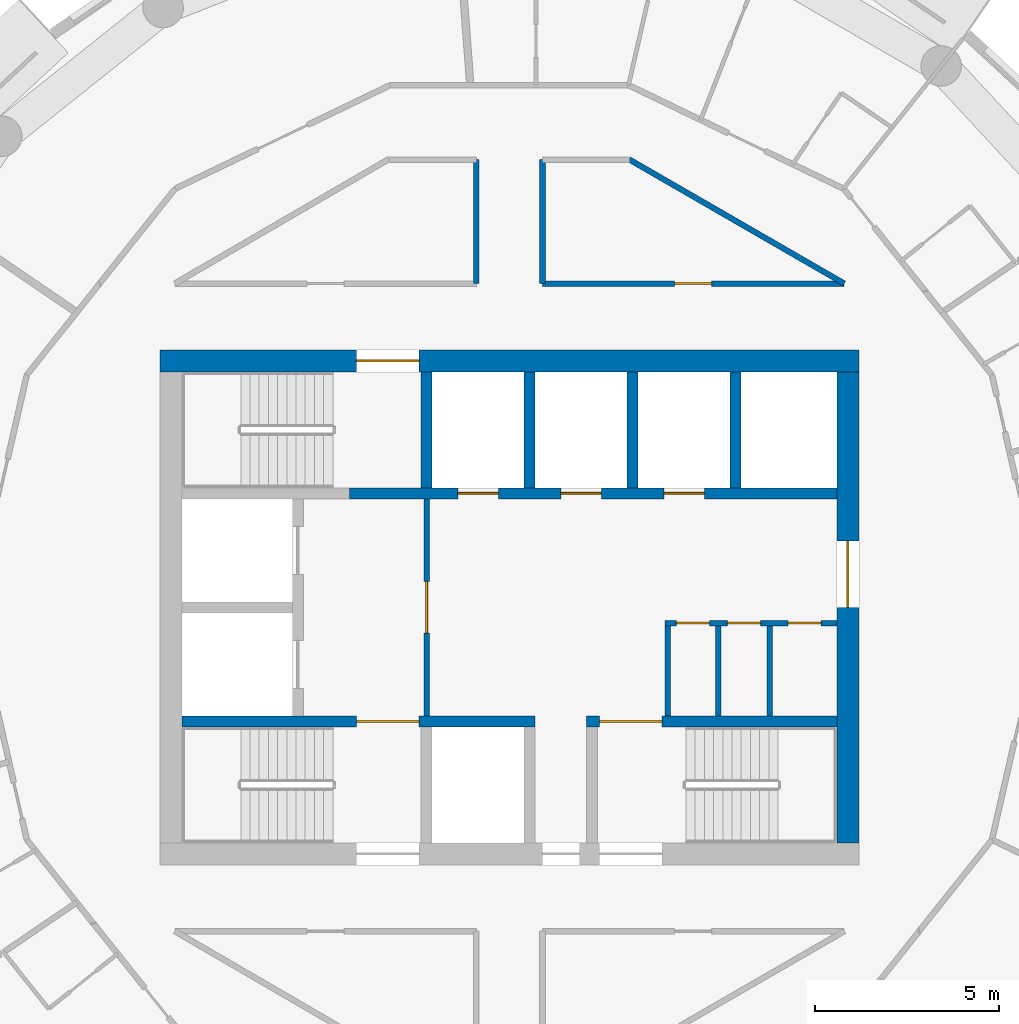
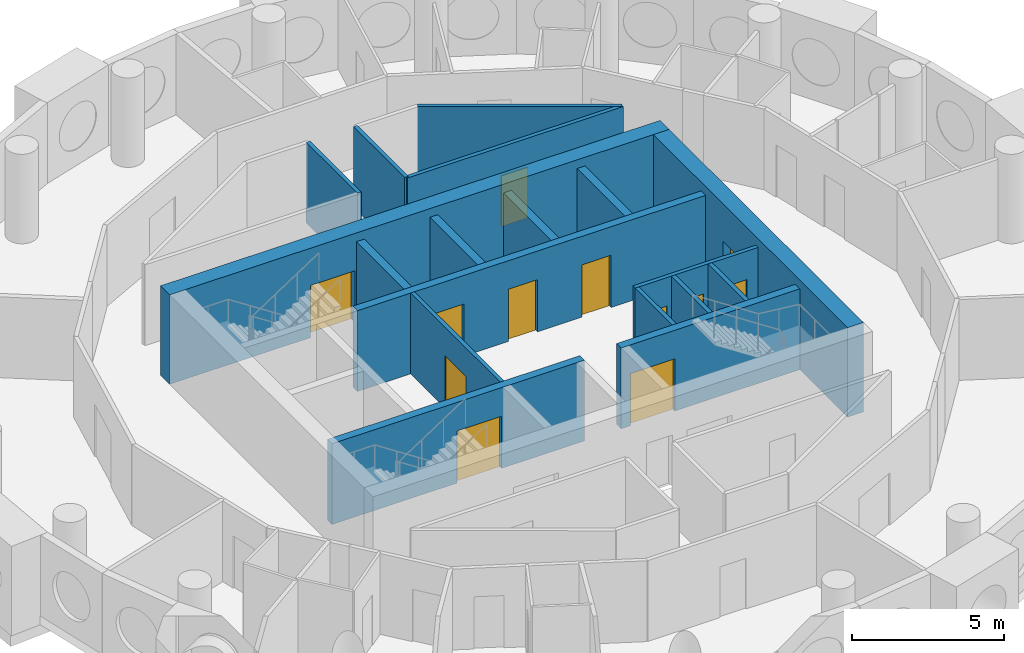
# One storey, part 8 of 13: 18 walls, 12 doors, 12 openings.
"""IFC4 building model written with IfcOpenShell, lengths in metres."""

from ifc_helpers import new_model, si_unit, direction, frame, frame_2d, origin, place, context, subcontext, project, spatial, rectangle, extrude, material, layer, layer_set, type_object, element, fill, save


model = new_model("IFC4")

# Units and contexts
model_context = context("Model", 3, precision=1e-05, world=origin(), true_north=direction((0.0, 1.0)))
body_context = subcontext(model_context, "Body", "Model", "MODEL_VIEW")
ifc_project = project(units=[si_unit("LENGTHUNIT", "METRE"), si_unit("AREAUNIT", "SQUARE_METRE"), si_unit("VOLUMEUNIT", "CUBIC_METRE"), si_unit("PLANEANGLEUNIT", "RADIAN"), si_unit("MASSUNIT", "GRAM", prefix="KILO")], contexts=[model_context])

# Site, building, storey
site_placement = place(None, origin())
site = spatial("IfcSite", under=ifc_project, at=site_placement, CompositionType="ELEMENT")
building_placement = place(site_placement, origin())
building = spatial("IfcBuilding", under=site, at=building_placement, Name="Tracery Tower", CompositionType="ELEMENT")
storey_placement = place(building_placement, frame((0.0, 0.0, 252.60009765625)))
storey = spatial("IfcBuildingStorey", under=building, at=storey_placement, Name="L65", CompositionType="ELEMENT", Elevation=252.60009765625)

# Wall, opening, door
ifc_material_1 = material(Name="Plasterboard on steel studs", Category="steel")
ifc_layer_1 = layer(ifc_material_1, 0.14990234375)
ifc_layer_set_1 = layer_set([ifc_layer_1], Name="Core lobby partition 150")
wall_type_1 = type_object("IfcWallType", Name="Core lobby partition 150", PredefinedType="SOLIDWALL", material=ifc_layer_set_1)
wall_1_placement = place(storey_placement, frame((-2.25, -2.949951171875, 0.0), z_axis=(0.0, 0.0, 1.0), x_axis=(0.0, 1.0, 0.0)))
wall_1 = element("IfcWall", 1, at=wall_1_placement, inside=storey, type_object=wall_type_1, Name="L65 FF lobby E", PredefinedType="SOLIDWALL", context=body_context, shape_type="SweptSolid", body=[
    extrude(rectangle(XDim=5.89990234375, YDim=0.14990234375, at=frame_2d((2.949951171875, 0.0))), origin(), (0.0, 0.0, 1.0), 3.25),
])
opening_1_placement = place(wall_1_placement, frame((2.25, 0.0, 0.0)))
opening_1 = element("IfcOpeningElement", 2, at=opening_1_placement, cuts=wall_1, Name="Opening KD8", PredefinedType="OPENING", context=body_context, shape_type="SweptSolid", body=[
    extrude(rectangle(XDim=1.39990234375, YDim=2.10009765625, at=frame_2d((0.699951171875, 1.050048828125))), frame((0.0, 0.074951171875, 0.0), z_axis=(0.0, -1.0, 0.0), x_axis=(1.0, 0.0, 0.0)), (0.0, 0.0, 1.0), 0.14990234375),
])
ifc_material_2 = material(Name="Steel fire door", Category="steel")
door_type_1 = type_object("IfcDoorType", Name="Core lobby door 1400 double", OperationType="NOTDEFINED", PredefinedType="DOOR", material=ifc_material_2)
door_1_placement = place(opening_1_placement, origin())
door_1 = element("IfcDoor", 3, at=door_1_placement, inside=storey, type_object=door_type_1, Name="Fire-fighting lobby door", OperationType="DOUBLE_DOOR_SINGLE_SWING", OverallHeight=2.10009765625, OverallWidth=1.39990234375, PredefinedType="DOOR", context=body_context, shape_type="SweptSolid", body=[
    extrude(rectangle(XDim=1.39990234375, YDim=2.10009765625, at=frame_2d((0.699951171875, 1.050048828125))), frame((0.0, 0.02490234375, 0.0), z_axis=(0.0, -1.0, 0.0), x_axis=(1.0, 0.0, 0.0)), (0.0, 0.0, 1.0), 0.050048828125),
])
fill(opening_1, door_1)

# Wall
ifc_material_3 = material(Name="Plasterboard on steel studs", Category="steel")
ifc_layer_2 = layer(ifc_material_3, 0.14990234375)
ifc_layer_set_2 = layer_set([ifc_layer_2], Name="Core room partition 150")
wall_type_2 = type_object("IfcWallType", Name="Core room partition 150", PredefinedType="SOLIDWALL", material=ifc_layer_set_2)
wall_2_placement = place(storey_placement, frame((4.300048828125, -2.949951171875, 0.0), z_axis=(0.0, 0.0, 1.0), x_axis=(0.0, 1.0, 0.0)))
element("IfcWall", 4, at=wall_2_placement, inside=storey, type_object=wall_type_2, Name="L65 slot W", PredefinedType="SOLIDWALL", context=body_context, shape_type="SweptSolid", body=[
    extrude(rectangle(XDim=2.449951171875, YDim=0.14990234375, at=frame_2d((1.22509765625, 0.0))), origin(), (0.0, 0.0, 1.0), 3.25),
])

# Wall, openings, doors
wall_3_placement = place(storey_placement, frame((4.22509765625, -0.425048828125, 0.0), z_axis=(0.0, 0.0, 1.0), x_axis=(1.0, 0.0, 0.0)))
wall_3 = element("IfcWall", 5, at=wall_3_placement, inside=storey, type_object=wall_type_2, Name="L65 slot N", PredefinedType="SOLIDWALL", context=body_context, shape_type="SweptSolid", body=[
    extrude(rectangle(XDim=4.6748046875, YDim=0.14990234375, at=frame_2d((2.33740234375, 0.0))), origin(), (0.0, 0.0, 1.0), 3.25),
])
opening_2_placement = place(wall_3_placement, frame((0.3125, 0.0, 0.0)))
opening_2 = element("IfcOpeningElement", 6, at=opening_2_placement, cuts=wall_3, Name="Opening KD32", PredefinedType="OPENING", context=body_context, shape_type="SweptSolid", body=[
    extrude(rectangle(XDim=0.89990234375, YDim=2.10009765625, at=frame_2d((0.449951171875, 1.050048828125))), frame((0.0, 0.074951171875, 0.0), z_axis=(0.0, -1.0, 0.0), x_axis=(1.0, 0.0, 0.0)), (0.0, 0.0, 1.0), 0.14990234375),
])
opening_3_placement = place(wall_3_placement, frame((1.699951171875, 0.0, 0.0)))
opening_3 = element("IfcOpeningElement", 7, at=opening_3_placement, cuts=wall_3, Name="Opening KD26", PredefinedType="OPENING", context=body_context, shape_type="SweptSolid", body=[
    extrude(rectangle(XDim=0.89990234375, YDim=2.10009765625, at=frame_2d((0.449951171875, 1.050048828125))), frame((0.0, 0.074951171875, 0.0), z_axis=(0.0, -1.0, 0.0), x_axis=(1.0, 0.0, 0.0)), (0.0, 0.0, 1.0), 0.14990234375),
])
opening_4_placement = place(wall_3_placement, frame((3.35009765625, 0.0, 0.0)))
opening_4 = element("IfcOpeningElement", 8, at=opening_4_placement, cuts=wall_3, Name="Opening KD22", PredefinedType="OPENING", context=body_context, shape_type="SweptSolid", body=[
    extrude(rectangle(XDim=0.89990234375, YDim=2.10009765625, at=frame_2d((0.449951171875, 1.050048828125))), frame((0.0, 0.074951171875, 0.0), z_axis=(0.0, -1.0, 0.0), x_axis=(1.0, 0.0, 0.0)), (0.0, 0.0, 1.0), 0.14990234375),
])
ifc_material_4 = material(Name="Timber door leaf", Category="wood")
door_type_2 = type_object("IfcDoorType", Name="Core WC door 900", OperationType="NOTDEFINED", PredefinedType="DOOR", material=ifc_material_4)
door_2_placement = place(opening_4_placement, origin())
door_2 = element("IfcDoor", 9, at=door_2_placement, inside=storey, type_object=door_type_2, Name="Core door", OperationType="SINGLE_SWING_RIGHT", OverallHeight=2.10009765625, OverallWidth=0.89990234375, PredefinedType="DOOR", context=body_context, shape_type="SweptSolid", body=[
    extrude(rectangle(XDim=0.89990234375, YDim=2.10009765625, at=frame_2d((0.449951171875, 1.050048828125))), frame((0.0, 0.02490234375, 0.0), z_axis=(0.0, -1.0, 0.0), x_axis=(1.0, 0.0, 0.0)), (0.0, 0.0, 1.0), 0.050048828125),
])
fill(opening_4, door_2)
ifc_material_5 = material(Name="Steel fire door", Category="steel")
door_type_3 = type_object("IfcDoorType", Name="Core riser door 900", OperationType="NOTDEFINED", PredefinedType="DOOR", material=ifc_material_5)
door_3_placement = place(opening_2_placement, origin())
door_3 = element("IfcDoor", 10, at=door_3_placement, inside=storey, type_object=door_type_3, Name="Core door", OperationType="SINGLE_SWING_RIGHT", OverallHeight=2.10009765625, OverallWidth=0.89990234375, PredefinedType="DOOR", context=body_context, shape_type="SweptSolid", body=[
    extrude(rectangle(XDim=0.89990234375, YDim=2.10009765625, at=frame_2d((0.449951171875, 1.050048828125))), frame((0.0, 0.02490234375, 0.0), z_axis=(0.0, -1.0, 0.0), x_axis=(1.0, 0.0, 0.0)), (0.0, 0.0, 1.0), 0.050048828125),
])
fill(opening_2, door_3)
ifc_material_6 = material(Name="Timber door leaf", Category="wood")
door_type_4 = type_object("IfcDoorType", Name="Core store door 900", OperationType="NOTDEFINED", PredefinedType="DOOR", material=ifc_material_6)
door_4_placement = place(opening_3_placement, origin())
door_4 = element("IfcDoor", 11, at=door_4_placement, inside=storey, type_object=door_type_4, Name="Core door", OperationType="SINGLE_SWING_LEFT", OverallHeight=2.10009765625, OverallWidth=0.89990234375, PredefinedType="DOOR", context=body_context, shape_type="SweptSolid", body=[
    extrude(rectangle(XDim=0.89990234375, YDim=2.10009765625, at=frame_2d((0.449951171875, 1.050048828125))), frame((0.0, 0.02490234375, 0.0), z_axis=(0.0, -1.0, 0.0), x_axis=(1.0, 0.0, 0.0)), (0.0, 0.0, 1.0), 0.050048828125),
])
fill(opening_3, door_4)

# Walls
for number, where, z_axis, x_axis, name in (
    (12, (5.675048828125, -2.949951171875, 0.0), (0.0, 0.0, 1.0), (0.0, 1.0, 0.0), "L65 slot sep 1"),
    (13, (7.074951171875, -2.949951171875, 0.0), (0.0, 0.0, 1.0), (0.0, 1.0, 0.0), "L65 slot sep 2"),
):
    element("IfcWall", number, at=place(storey_placement, frame(where, z_axis=z_axis, x_axis=x_axis)), inside=storey, type_object=wall_type_2, Name=name, PredefinedType="SOLIDWALL", context=body_context, shape_type="SweptSolid", body=[
        extrude(rectangle(XDim=2.449951171875, YDim=0.14990234375, at=frame_2d((1.22509765625, 0.0))), origin(), (0.0, 0.0, 1.0), 3.25),
    ])

# Wall, opening, door
ifc_material_7 = material(Name="Concrete C40/50", Category="concrete")
ifc_layer_3 = layer(ifc_material_7, 0.60009765625)
ifc_layer_set_3 = layer_set([ifc_layer_3], Name="Core wall 600 C40")
wall_type_3 = type_object("IfcWallType", Name="Core wall 600 C40", PredefinedType="SOLIDWALL", material=ifc_layer_set_3)
wall_4_placement = place(storey_placement, frame((-9.5, 6.699951171875, 0.0), z_axis=(0.0, 0.0, 1.0), x_axis=(1.0, 0.0, 0.0)))
wall_4 = element("IfcWall", 14, at=wall_4_placement, inside=storey, type_object=wall_type_3, Name="L65 outer N", PredefinedType="SOLIDWALL", context=body_context, shape_type="SweptSolid", body=[
    extrude(rectangle(XDim=19.0, YDim=0.60009765625, at=frame_2d((9.5, 0.0))), origin(), (0.0, 0.0, 1.0), 3.599853515625),
])
opening_5_placement = place(wall_4_placement, frame((5.35009765625, 0.0, 0.0)))
opening_5 = element("IfcOpeningElement", 15, at=opening_5_placement, cuts=wall_4, Name="Opening KD3", PredefinedType="OPENING", context=body_context, shape_type="SweptSolid", body=[
    extrude(rectangle(XDim=1.699951171875, YDim=2.10009765625, at=frame_2d((0.85009765625, 1.050048828125))), frame((0.0, 0.300048828125, 0.0), z_axis=(0.0, -1.0, 0.0), x_axis=(1.0, 0.0, 0.0)), (0.0, 0.0, 1.0), 0.60009765625),
])
ifc_material_8 = material(Name="Steel fire door", Category="steel")
door_type_5 = type_object("IfcDoorType", Name="Core stair door 1700 double", OperationType="NOTDEFINED", PredefinedType="DOOR", material=ifc_material_8)
door_5_placement = place(opening_5_placement, origin())
door_5 = element("IfcDoor", 16, at=door_5_placement, inside=storey, type_object=door_type_5, Name="Stair door ST3 exit", OperationType="DOUBLE_DOOR_SINGLE_SWING", OverallHeight=2.10009765625, OverallWidth=1.699951171875, PredefinedType="DOOR", context=body_context, shape_type="SweptSolid", body=[
    extrude(rectangle(XDim=1.699951171875, YDim=2.10009765625, at=frame_2d((0.85009765625, 1.050048828125))), frame((0.0, 0.02490234375, 0.0), z_axis=(0.0, -1.0, 0.0), x_axis=(1.0, 0.0, 0.0)), (0.0, 0.0, 1.0), 0.050048828125),
])
fill(opening_5, door_5)

wall_5_placement = place(storey_placement, frame((9.199951171875, -6.39990234375, 0.0), z_axis=(0.0, 0.0, 1.0), x_axis=(0.0, 1.0, 0.0)))
wall_5 = element("IfcWall", 17, at=wall_5_placement, inside=storey, type_object=wall_type_3, Name="L65 outer E", PredefinedType="SOLIDWALL", context=body_context, shape_type="SweptSolid", body=[
    extrude(rectangle(XDim=12.7998046875, YDim=0.60009765625, at=frame_2d((6.39990234375, 0.0))), origin(), (0.0, 0.0, 1.0), 3.599853515625),
])
opening_6_placement = place(wall_5_placement, frame((6.39990234375, 0.0, 0.0)))
opening_6 = element("IfcOpeningElement", 18, at=opening_6_placement, cuts=wall_5, Name="Opening KD13", PredefinedType="OPENING", context=body_context, shape_type="SweptSolid", body=[
    extrude(rectangle(XDim=1.800048828125, YDim=2.10009765625, at=frame_2d((0.89990234375, 1.050048828125))), frame((0.0, 0.300048828125, 0.0), z_axis=(0.0, -1.0, 0.0), x_axis=(1.0, 0.0, 0.0)), (0.0, 0.0, 1.0), 0.60009765625),
])
ifc_material_9 = material(Name="Steel fire door", Category="steel")
door_type_6 = type_object("IfcDoorType", Name="Core exit door 1800 double", OperationType="NOTDEFINED", PredefinedType="DOOR", material=ifc_material_9)
door_6_placement = place(opening_6_placement, origin())
door_6 = element("IfcDoor", 19, at=door_6_placement, inside=storey, type_object=door_type_6, Name="Core exit door", OperationType="DOUBLE_DOOR_SINGLE_SWING", OverallHeight=2.10009765625, OverallWidth=1.800048828125, PredefinedType="DOOR", context=body_context, shape_type="SweptSolid", body=[
    extrude(rectangle(XDim=1.800048828125, YDim=2.10009765625, at=frame_2d((0.89990234375, 1.050048828125))), frame((0.0, 0.02490234375, 0.0), z_axis=(0.0, -1.0, 0.0), x_axis=(1.0, 0.0, 0.0)), (0.0, 0.0, 1.0), 0.050048828125),
])
fill(opening_6, door_6)

ifc_material_10 = material(Name="Plasterboard on steel studs", Category="steel")
ifc_layer_4 = layer(ifc_material_10, 0.14990234375)
ifc_layer_set_4 = layer_set([ifc_layer_4], Name="Partition 150 corridor wall")
wall_type_4 = type_object("IfcWallType", Name="Partition 150 corridor wall", PredefinedType="PARTITIONING", material=ifc_layer_set_4)
wall_6_placement = place(storey_placement, frame((0.89599609375, 8.800048828125, 0.0), z_axis=(0.0, 0.0, 1.0), x_axis=(1.0, 0.0, 0.0)))
wall_6 = element("IfcWall", 20, at=wall_6_placement, inside=storey, type_object=wall_type_4, Name="Corridor wall RC3-003", PredefinedType="PARTITIONING", context=body_context, shape_type="SweptSolid", body=[
    extrude(rectangle(XDim=8.20458984375, YDim=0.14990234375, at=frame_2d((4.102294921875, 0.0))), origin(), (0.0, 0.0, 1.0), 3.25),
])
opening_7_placement = place(wall_6_placement, frame((3.597900390625, 0.0, 0.0)))
opening_7 = element("IfcOpeningElement", 21, at=opening_7_placement, cuts=wall_6, Name="Opening RC3-02", PredefinedType="OPENING", context=body_context, shape_type="SweptSolid", body=[
    extrude(rectangle(XDim=1.0, YDim=2.0400390625, at=frame_2d((0.5, 1.02001953125))), frame((0.0, 0.074951171875, 0.0), z_axis=(0.0, -1.0, 0.0), x_axis=(1.0, 0.0, 0.0)), (0.0, 0.0, 1.0), 0.14990234375),
])
ifc_material_11 = material(Name="Timber door leaf", Category="wood")
door_type_7 = type_object("IfcDoorType", Name="Door communal room 1000", OperationType="NOTDEFINED", PredefinedType="DOOR", material=ifc_material_11)
door_7_placement = place(opening_7_placement, origin())
door_7 = element("IfcDoor", 22, at=door_7_placement, inside=storey, type_object=door_type_7, Name="Communal room door RC3-02", OperationType="SINGLE_SWING_RIGHT", OverallHeight=2.0400390625, OverallWidth=1.0, PredefinedType="DOOR", context=body_context, shape_type="SweptSolid", body=[
    extrude(rectangle(XDim=1.0, YDim=2.0400390625, at=frame_2d((0.5, 1.02001953125))), frame((0.0, 0.02490234375, 0.0), z_axis=(0.0, -1.0, 0.0), x_axis=(1.0, 0.0, 0.0)), (0.0, 0.0, 1.0), 0.050048828125),
])
fill(opening_7, door_7)

# Walls
wall_7_placement = place(storey_placement, frame((-0.89990234375, 8.800048828125, 0.0), z_axis=(0.0, 0.0, 1.0), x_axis=(0.0, 1.0, 0.0)))
element("IfcWall", 23, at=wall_7_placement, inside=storey, type_object=wall_type_4, Name="Corridor wall RC3-026", PredefinedType="PARTITIONING", context=body_context, shape_type="SweptSolid", body=[
    extrude(rectangle(XDim=3.370849609375, YDim=0.14990234375, at=frame_2d((1.685546875, 0.0))), origin(), (0.0, 0.0, 1.0), 3.25),
])
wall_8_placement = place(storey_placement, frame((3.260986328125, 12.1708984375, 0.0), z_axis=(0.0, 0.0, 1.0), x_axis=(0.866066809554, -0.499928276245, 0.0)))
element("IfcWall", 24, at=wall_8_placement, inside=storey, type_object=wall_type_4, Name="Corridor wall RC3-028", PredefinedType="PARTITIONING", context=body_context, shape_type="SweptSolid", body=[
    extrude(rectangle(XDim=6.74267578125, YDim=0.14990234375, at=frame_2d((3.371337890625, 0.0))), origin(), (0.0, 0.0, 1.0), 3.25),
])
wall_9_placement = place(storey_placement, frame((0.89990234375, 8.800048828125, 0.0), z_axis=(0.0, 0.0, 1.0), x_axis=(0.0, 1.0, 0.0)))
element("IfcWall", 25, at=wall_9_placement, inside=storey, type_object=wall_type_4, Name="Corridor wall RC3-030", PredefinedType="PARTITIONING", context=body_context, shape_type="SweptSolid", body=[
    extrude(rectangle(XDim=3.370849609375, YDim=0.14990234375, at=frame_2d((1.685546875, 0.0))), origin(), (0.0, 0.0, 1.0), 3.25),
])
ifc_material_12 = material(Name="Concrete C40/50", Category="concrete")
ifc_layer_5 = layer(ifc_material_12, 0.300048828125)
ifc_layer_set_5 = layer_set([ifc_layer_5], Name="Shaft wall 300 C40")
wall_type_5 = type_object("IfcWallType", Name="Shaft wall 300 C40", PredefinedType="SOLIDWALL", material=ifc_layer_set_5)
for number, where, z_axis, x_axis, name in (
    (26, (0.550048828125, 3.25, 0.0), (0.0, 0.0, 1.0), (0.0, 1.0, 0.0), "L65 HR sep 1"),
    (27, (3.35009765625, 3.25, 0.0), (0.0, 0.0, 1.0), (0.0, 1.0, 0.0), "L65 HR sep 2"),
    (28, (6.14990234375, 3.25, 0.0), (0.0, 0.0, 1.0), (0.0, 1.0, 0.0), "L65 HR sep 3"),
):
    element("IfcWall", number, at=place(storey_placement, frame(where, z_axis=z_axis, x_axis=x_axis)), inside=storey, type_object=wall_type_5, Name=name, PredefinedType="SOLIDWALL", context=body_context, shape_type="SweptSolid", body=[
        extrude(rectangle(XDim=3.14990234375, YDim=0.300048828125, at=frame_2d((1.574951171875, 0.0))), origin(), (0.0, 0.0, 1.0), 3.25),
    ])

# Wall, opening, door
ifc_material_13 = material(Name="Concrete C40/50", Category="concrete")
ifc_layer_6 = layer(ifc_material_13, 0.300048828125)
ifc_layer_set_6 = layer_set([ifc_layer_6], Name="Stair wall 300 C40")
wall_type_6 = type_object("IfcWallType", Name="Stair wall 300 C40", PredefinedType="SOLIDWALL", material=ifc_layer_set_6)
wall_10_placement = place(storey_placement, frame((-8.89990234375, -3.10009765625, 0.0), z_axis=(0.0, 0.0, 1.0), x_axis=(1.0, 0.0, 0.0)))
wall_10 = element("IfcWall", 29, at=wall_10_placement, inside=storey, type_object=wall_type_6, Name="L65 row S", PredefinedType="SOLIDWALL", context=body_context, shape_type="SweptSolid", body=[
    extrude(rectangle(XDim=9.599853515625, YDim=0.300048828125, at=frame_2d((4.7998046875, 0.0))), origin(), (0.0, 0.0, 1.0), 3.25),
])
opening_8_placement = place(wall_10_placement, frame((4.75, 0.0, 0.0)))
opening_8 = element("IfcOpeningElement", 30, at=opening_8_placement, cuts=wall_10, Name="Opening KD3", PredefinedType="OPENING", context=body_context, shape_type="SweptSolid", body=[
    extrude(rectangle(XDim=1.699951171875, YDim=2.10009765625, at=frame_2d((0.85009765625, 1.050048828125))), frame((0.0, 0.14990234375, 0.0), z_axis=(0.0, -1.0, 0.0), x_axis=(1.0, 0.0, 0.0)), (0.0, 0.0, 1.0), 0.300048828125),
])
door_8_placement = place(opening_8_placement, origin())
door_8 = element("IfcDoor", 31, at=door_8_placement, inside=storey, type_object=door_type_5, Name="Stair door ST1", OperationType="DOUBLE_DOOR_SINGLE_SWING", OverallHeight=2.10009765625, OverallWidth=1.699951171875, PredefinedType="DOOR", context=body_context, shape_type="SweptSolid", body=[
    extrude(rectangle(XDim=1.699951171875, YDim=2.10009765625, at=frame_2d((0.85009765625, 1.050048828125))), frame((0.0, 0.02490234375, 0.0), z_axis=(0.0, -1.0, 0.0), x_axis=(1.0, 0.0, 0.0)), (0.0, 0.0, 1.0), 0.050048828125),
])
fill(opening_8, door_8)

wall_11_placement = place(storey_placement, frame((2.10009765625, -3.10009765625, 0.0), z_axis=(0.0, 0.0, 1.0), x_axis=(1.0, 0.0, 0.0)))
wall_11 = element("IfcWall", 32, at=wall_11_placement, inside=storey, type_object=wall_type_6, Name="L65 row S E", PredefinedType="SOLIDWALL", context=body_context, shape_type="SweptSolid", body=[
    extrude(rectangle(XDim=6.7998046875, YDim=0.300048828125, at=frame_2d((3.39990234375, 0.0))), origin(), (0.0, 0.0, 1.0), 3.25),
])
opening_9_placement = place(wall_11_placement, frame((0.35009765625, 0.0, 0.0)))
opening_9 = element("IfcOpeningElement", 33, at=opening_9_placement, cuts=wall_11, Name="Opening KD3", PredefinedType="OPENING", context=body_context, shape_type="SweptSolid", body=[
    extrude(rectangle(XDim=1.699951171875, YDim=2.10009765625, at=frame_2d((0.85009765625, 1.050048828125))), frame((0.0, 0.14990234375, 0.0), z_axis=(0.0, -1.0, 0.0), x_axis=(1.0, 0.0, 0.0)), (0.0, 0.0, 1.0), 0.300048828125),
])
door_9_placement = place(opening_9_placement, origin())
door_9 = element("IfcDoor", 34, at=door_9_placement, inside=storey, type_object=door_type_5, Name="Stair door ST2", OperationType="DOUBLE_DOOR_SINGLE_SWING", OverallHeight=2.10009765625, OverallWidth=1.699951171875, PredefinedType="DOOR", context=body_context, shape_type="SweptSolid", body=[
    extrude(rectangle(XDim=1.699951171875, YDim=2.10009765625, at=frame_2d((0.85009765625, 1.050048828125))), frame((0.0, 0.02490234375, 0.0), z_axis=(0.0, -1.0, 0.0), x_axis=(1.0, 0.0, 0.0)), (0.0, 0.0, 1.0), 0.050048828125),
])
fill(opening_9, door_9)

# Wall, openings, doors
wall_12_placement = place(storey_placement, frame((-4.35009765625, 3.10009765625, 0.0), z_axis=(0.0, 0.0, 1.0), x_axis=(1.0, 0.0, 0.0)))
wall_12 = element("IfcWall", 35, at=wall_12_placement, inside=storey, type_object=wall_type_6, Name="L65 row N", PredefinedType="SOLIDWALL", context=body_context, shape_type="SweptSolid", body=[
    extrude(rectangle(XDim=13.25, YDim=0.300048828125, at=frame_2d((6.625, 0.0))), origin(), (0.0, 0.0, 1.0), 3.25),
])
opening_10_placement = place(wall_12_placement, frame((2.949951171875, 0.0, 0.0)))
opening_10 = element("IfcOpeningElement", 36, at=opening_10_placement, cuts=wall_12, Name="Opening KD49", PredefinedType="OPENING", context=body_context, shape_type="SweptSolid", body=[
    extrude(rectangle(XDim=1.10009765625, YDim=2.10009765625, at=frame_2d((0.550048828125, 1.050048828125))), frame((0.0, 0.14990234375, 0.0), z_axis=(0.0, -1.0, 0.0), x_axis=(1.0, 0.0, 0.0)), (0.0, 0.0, 1.0), 0.300048828125),
])
opening_11_placement = place(wall_12_placement, frame((5.75, 0.0, 0.0)))
opening_11 = element("IfcOpeningElement", 37, at=opening_11_placement, cuts=wall_12, Name="Opening KD50", PredefinedType="OPENING", context=body_context, shape_type="SweptSolid", body=[
    extrude(rectangle(XDim=1.10009765625, YDim=2.10009765625, at=frame_2d((0.550048828125, 1.050048828125))), frame((0.0, 0.14990234375, 0.0), z_axis=(0.0, -1.0, 0.0), x_axis=(1.0, 0.0, 0.0)), (0.0, 0.0, 1.0), 0.300048828125),
])
opening_12_placement = place(wall_12_placement, frame((8.550048828125, 0.0, 0.0)))
opening_12 = element("IfcOpeningElement", 38, at=opening_12_placement, cuts=wall_12, Name="Opening KD49", PredefinedType="OPENING", context=body_context, shape_type="SweptSolid", body=[
    extrude(rectangle(XDim=1.10009765625, YDim=2.10009765625, at=frame_2d((0.550048828125, 1.050048828125))), frame((0.0, 0.14990234375, 0.0), z_axis=(0.0, -1.0, 0.0), x_axis=(1.0, 0.0, 0.0)), (0.0, 0.0, 1.0), 0.300048828125),
])
ifc_material_14 = material(Name="Steel fire door", Category="steel")
door_type_8 = type_object("IfcDoorType", Name="Landing door 1100", OperationType="NOTDEFINED", PredefinedType="DOOR", material=ifc_material_14)
door_10_placement = place(opening_10_placement, origin())
door_10 = element("IfcDoor", 39, at=door_10_placement, inside=storey, type_object=door_type_8, Name="Landing door HR1", OperationType="SLIDING_TO_LEFT", OverallHeight=2.10009765625, OverallWidth=1.10009765625, PredefinedType="DOOR", context=body_context, shape_type="SweptSolid", body=[
    extrude(rectangle(XDim=1.10009765625, YDim=2.10009765625, at=frame_2d((0.550048828125, 1.050048828125))), frame((0.0, 0.02490234375, 0.0), z_axis=(0.0, -1.0, 0.0), x_axis=(1.0, 0.0, 0.0)), (0.0, 0.0, 1.0), 0.050048828125),
])
fill(opening_10, door_10)
door_11_placement = place(opening_11_placement, origin())
door_11 = element("IfcDoor", 40, at=door_11_placement, inside=storey, type_object=door_type_8, Name="Landing door HR2", OperationType="SLIDING_TO_RIGHT", OverallHeight=2.10009765625, OverallWidth=1.10009765625, PredefinedType="DOOR", context=body_context, shape_type="SweptSolid", body=[
    extrude(rectangle(XDim=1.10009765625, YDim=2.10009765625, at=frame_2d((0.550048828125, 1.050048828125))), frame((0.0, 0.02490234375, 0.0), z_axis=(0.0, -1.0, 0.0), x_axis=(1.0, 0.0, 0.0)), (0.0, 0.0, 1.0), 0.050048828125),
])
fill(opening_11, door_11)
door_12_placement = place(opening_12_placement, origin())
door_12 = element("IfcDoor", 41, at=door_12_placement, inside=storey, type_object=door_type_8, Name="Landing door HR3", OperationType="SLIDING_TO_LEFT", OverallHeight=2.10009765625, OverallWidth=1.10009765625, PredefinedType="DOOR", context=body_context, shape_type="SweptSolid", body=[
    extrude(rectangle(XDim=1.10009765625, YDim=2.10009765625, at=frame_2d((0.550048828125, 1.050048828125))), frame((0.0, 0.02490234375, 0.0), z_axis=(0.0, -1.0, 0.0), x_axis=(1.0, 0.0, 0.0)), (0.0, 0.0, 1.0), 0.050048828125),
])
fill(opening_12, door_12)

# Wall
wall_13_placement = place(storey_placement, frame((-2.25, 3.25, 0.0), z_axis=(0.0, 0.0, 1.0), x_axis=(0.0, 1.0, 0.0)))
element("IfcWall", 42, at=wall_13_placement, inside=storey, type_object=wall_type_6, Name="L65 ST3 E", PredefinedType="SOLIDWALL", context=body_context, shape_type="SweptSolid", body=[
    extrude(rectangle(XDim=3.14990234375, YDim=0.300048828125, at=frame_2d((1.574951171875, 0.0))), origin(), (0.0, 0.0, 1.0), 3.25),
])

save(model, "model.ifc")
